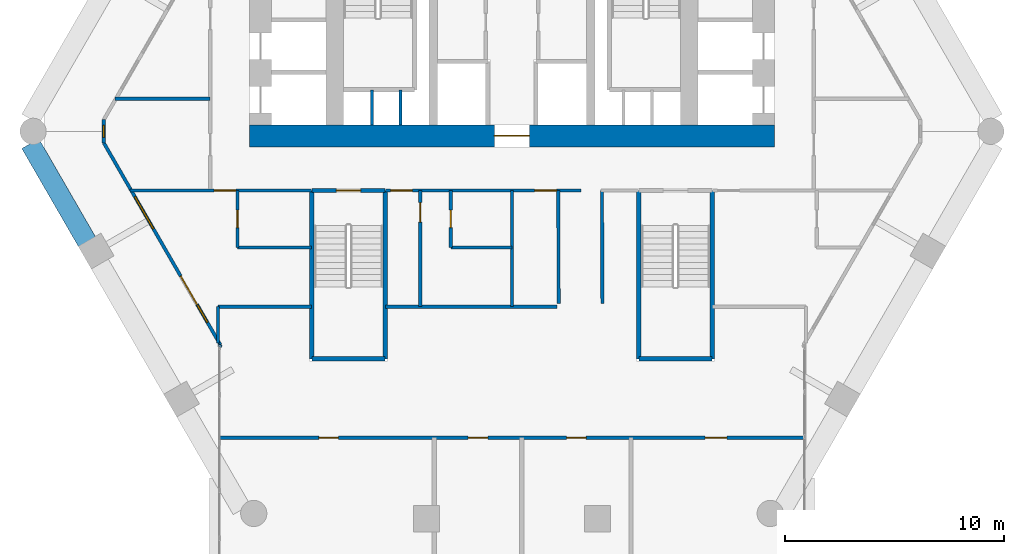
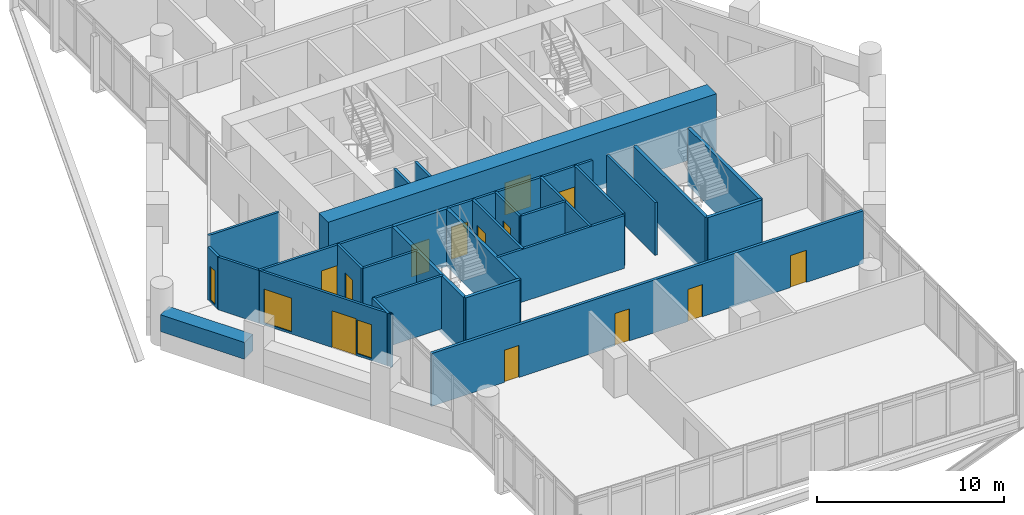
# One storey, part 30 of 37: 29 walls, 13 doors, 3 windows, 16 openings.
"""IFC4 building model written with IfcOpenShell, lengths in metres."""

from ifc_helpers import new_model, si_unit, direction, frame, frame_2d, origin, place, context, subcontext, project, spatial, rectangle, extrude, material, layer, layer_set, type_object, element, fill, save


model = new_model("IFC4")

# Units and contexts
model_context = context("Model", 3, precision=1e-05, world=origin(), true_north=direction((0.0, 1.0)))
body_context = subcontext(model_context, "Body", "Model", "MODEL_VIEW")
ifc_project = project(units=[si_unit("LENGTHUNIT", "METRE"), si_unit("AREAUNIT", "SQUARE_METRE"), si_unit("VOLUMEUNIT", "CUBIC_METRE"), si_unit("PLANEANGLEUNIT", "RADIAN"), si_unit("MASSUNIT", "GRAM", prefix="KILO")], contexts=[model_context])

# Site, building, storey
site_placement = place(None, origin())
site = spatial("IfcSite", under=ifc_project, at=site_placement, CompositionType="ELEMENT")
building_placement = place(site_placement, origin())
building = spatial("IfcBuilding", under=site, at=building_placement, Name="Ostrander Bayou Hotel Tower", CompositionType="ELEMENT")
storey_placement = place(building_placement, frame((0.0, 0.0, 131.0)))
storey = spatial("IfcBuildingStorey", under=building, at=storey_placement, Name="L32", CompositionType="ELEMENT", Elevation=131.0)

# Wall, opening, door
ifc_material_1 = material(Name="Concrete f'c 70 MPa", Category="concrete")
ifc_layer_1 = layer(ifc_material_1, 1.0)
ifc_layer_set_1 = layer_set([ifc_layer_1], Name="CW4 core wall 1000 mm f'c 70 MPa")
wall_type_1 = type_object("IfcWallType", Name="CW4 core wall 1000 mm f'c 70 MPa", PredefinedType="SHEAR", material=ifc_layer_set_1)
wall_1_placement = place(storey_placement, frame((-12.0, -1.199951171875, -0.300048828125), z_axis=(0.0, 0.0, 1.0), x_axis=(1.0, 0.0, 0.0)))
wall_1 = element("IfcWall", 1, at=wall_1_placement, inside=storey, type_object=wall_type_1, Name="CW4 L32 S", PredefinedType="SHEAR", context=body_context, shape_type="SweptSolid", body=[
    extrude(rectangle(XDim=24.0, YDim=1.0, at=frame_2d((12.0, 0.0))), origin(), (0.0, 0.0, 1.0), 3.75),
])
opening_1_placement = place(wall_1_placement, frame((11.199951171875, 0.0, 0.0)))
opening_1 = element("IfcOpeningElement", 2, at=opening_1_placement, cuts=wall_1, Name="Opening T32-001", PredefinedType="OPENING", context=body_context, shape_type="SweptSolid", body=[
    extrude(rectangle(XDim=1.60009765625, YDim=2.10009765625, at=frame_2d((0.800048828125, 1.050048828125))), frame((0.0, 0.5, 0.0), z_axis=(0.0, -1.0, 0.0), x_axis=(1.0, 0.0, 0.0)), (0.0, 0.0, 1.0), 1.0),
])
ifc_material_2 = material(Name="Timber door leaf", Category="wood")
door_type_1 = type_object("IfcDoorType", Name="D13 double door 1600 x 2100 mm, 1 hour", OperationType="SINGLE_SWING_LEFT", PredefinedType="DOOR", material=ifc_material_2)
door_1_placement = place(opening_1_placement, origin())
door_1 = element("IfcDoor", 3, at=door_1_placement, inside=storey, type_object=door_type_1, Name="dr:L32:001", OperationType="DOUBLE_DOOR_SINGLE_SWING", OverallHeight=2.10009765625, OverallWidth=1.60009765625, PredefinedType="DOOR", context=body_context, shape_type="SweptSolid", body=[
    extrude(rectangle(XDim=1.60009765625, YDim=2.10009765625, at=frame_2d((0.800048828125, 1.050048828125))), frame((0.0, 0.02490234375, 0.0), z_axis=(0.0, -1.0, 0.0), x_axis=(1.0, 0.0, 0.0)), (0.0, 0.0, 1.0), 0.050048828125),
])
fill(opening_1, door_1)

# Wall, openings, door, windows
ifc_material_3 = material(Name="Aluminium framed insulated wall", Category="aluminium")
ifc_layer_2 = layer(ifc_material_3, 0.14990234375)
ifc_layer_set_2 = layer_set([ifc_layer_2], Name="GW1 glass-line wall 150 mm")
wall_type_2 = type_object("IfcWallType", Name="GW1 glass-line wall 150 mm", PredefinedType="SOLIDWALL", material=ifc_layer_set_2)
wall_2_placement = place(storey_placement, frame((-18.66259765625, -1.525390625, 0.0), z_axis=(0.0, 0.0, 1.0), x_axis=(0.499997430087, -0.866026887519, 0.0)))
wall_2 = element("IfcWall", 4, at=wall_2_placement, inside=storey, type_object=wall_type_2, Name="GW1 L32 SW 1", PredefinedType="SOLIDWALL", context=body_context, shape_type="SweptSolid", body=[
    extrude(rectangle(XDim=10.6572265625, YDim=0.14990234375, at=frame_2d((5.32861328125, 0.0))), origin(), (0.0, 0.0, 1.0), 3.449951171875),
])
opening_2_placement = place(wall_2_placement, frame((2.835205078125, 0.0, 0.14990234375)))
opening_2 = element("IfcOpeningElement", 5, at=opening_2_placement, cuts=wall_2, Name="Opening W8", PredefinedType="OPENING", context=body_context, shape_type="SweptSolid", body=[
    extrude(rectangle(XDim=1.699951171875, YDim=2.199951171875, at=frame_2d((0.85009765625, 1.10009765625))), frame((0.0, 0.074951171875, 0.0), z_axis=(0.0, -1.0, 0.0), x_axis=(1.0, 0.0, 0.0)), (0.0, 0.0, 1.0), 0.14990234375),
])
opening_3_placement = place(wall_2_placement, frame((8.572998046875, 0.0, 0.14990234375)))
opening_3 = element("IfcOpeningElement", 6, at=opening_3_placement, cuts=wall_2, Name="Opening W16", PredefinedType="OPENING", context=body_context, shape_type="SweptSolid", body=[
    extrude(rectangle(XDim=0.89990234375, YDim=2.199951171875, at=frame_2d((0.449951171875, 1.10009765625))), frame((0.0, 0.074951171875, 0.0), z_axis=(0.0, -1.0, 0.0), x_axis=(1.0, 0.0, 0.0)), (0.0, 0.0, 1.0), 0.14990234375),
])
opening_4_placement = place(wall_2_placement, frame((7.023193359375, 0.0, 0.0)))
opening_4 = element("IfcOpeningElement", 7, at=opening_4_placement, cuts=wall_2, Name="Opening T32-800", PredefinedType="OPENING", context=body_context, shape_type="SweptSolid", body=[
    extrude(rectangle(XDim=1.5, YDim=2.39990234375, at=frame_2d((0.75, 1.199951171875))), frame((0.0, 0.074951171875, 0.0), z_axis=(0.0, -1.0, 0.0), x_axis=(1.0, 0.0, 0.0)), (0.0, 0.0, 1.0), 0.14990234375),
])
ifc_material_4 = material(Name="Aluminium and clear glass", Category="aluminium")
door_type_2 = type_object("IfcDoorType", Name="SD2 sliding glass door 1500 mm, zone 2", OperationType="SLIDING_TO_LEFT", PredefinedType="DOOR", material=ifc_material_4)
door_2_placement = place(opening_4_placement, origin())
door_2 = element("IfcDoor", 8, at=door_2_placement, inside=storey, type_object=door_type_2, Name="SD2 L32 SW 2", OperationType="SLIDING_TO_RIGHT", OverallHeight=2.39990234375, OverallWidth=1.5, PredefinedType="DOOR", context=body_context, shape_type="SweptSolid", body=[
    extrude(rectangle(XDim=1.5, YDim=2.39990234375, at=frame_2d((0.75, 1.199951171875))), frame((0.0, 0.02490234375, 0.0), z_axis=(0.0, -1.0, 0.0), x_axis=(1.0, 0.0, 0.0)), (0.0, 0.0, 1.0), 0.050048828125),
])
fill(opening_4, door_2)
ifc_material_5 = material(Name="Aluminium and clear glass", Category="aluminium")
window_type_1 = type_object("IfcWindowType", Name="W16 window 900 mm, zone 2", PartitioningType="SINGLE_PANEL", PredefinedType="WINDOW", material=ifc_material_5)
window_1_placement = place(opening_3_placement, origin())
window_1 = element("IfcWindow", 9, at=window_1_placement, inside=storey, type_object=window_type_1, Name="W16 L32 SW 2", OverallHeight=2.199951171875, OverallWidth=0.89990234375, PartitioningType="SINGLE_PANEL", PredefinedType="WINDOW", context=body_context, shape_type="SweptSolid", body=[
    extrude(rectangle(XDim=0.89990234375, YDim=2.199951171875, at=frame_2d((0.449951171875, 1.10009765625))), frame((0.0, 0.030029296875, 0.0), z_axis=(0.0, -1.0, 0.0), x_axis=(1.0, 0.0, 0.0)), (0.0, 0.0, 1.0), 0.06005859375),
])
fill(opening_3, window_1)
ifc_material_6 = material(Name="Aluminium and clear glass", Category="aluminium")
window_type_2 = type_object("IfcWindowType", Name="W8 fixed window 1700 mm, bar storeys, zone 2", PartitioningType="SINGLE_PANEL", PredefinedType="WINDOW", material=ifc_material_6)
window_2_placement = place(opening_2_placement, origin())
window_2 = element("IfcWindow", 10, at=window_2_placement, inside=storey, type_object=window_type_2, Name="W8 L32 SW 1", OverallHeight=2.199951171875, OverallWidth=1.699951171875, PartitioningType="SINGLE_PANEL", PredefinedType="WINDOW", context=body_context, shape_type="SweptSolid", body=[
    extrude(rectangle(XDim=1.699951171875, YDim=2.199951171875, at=frame_2d((0.85009765625, 1.10009765625))), frame((0.0, 0.030029296875, 0.0), z_axis=(0.0, -1.0, 0.0), x_axis=(1.0, 0.0, 0.0)), (0.0, 0.0, 1.0), 0.06005859375),
])
fill(opening_2, window_2)

# Wall, opening, window
wall_3_placement = place(storey_placement, frame((-18.66259765625, -0.460205078125, 0.0), z_axis=(0.0, 0.0, 1.0), x_axis=(0.0, -1.0, 0.0)))
wall_3 = element("IfcWall", 11, at=wall_3_placement, inside=storey, type_object=wall_type_2, Name="GW1 L32 corner 2", PredefinedType="SOLIDWALL", context=body_context, shape_type="SweptSolid", body=[
    extrude(rectangle(XDim=1.065185546875, YDim=0.14990234375, at=frame_2d((0.53271484375, 0.0))), origin(), (0.0, 0.0, 1.0), 3.449951171875),
])
opening_5_placement = place(wall_3_placement, frame((0.257568359375, 0.0, 0.14990234375)))
opening_5 = element("IfcOpeningElement", 12, at=opening_5_placement, cuts=wall_3, Name="Opening W19", PredefinedType="OPENING", context=body_context, shape_type="SweptSolid", body=[
    extrude(rectangle(XDim=0.550048828125, YDim=2.199951171875, at=frame_2d((0.27490234375, 1.10009765625))), frame((0.0, 0.074951171875, 0.0), z_axis=(0.0, -1.0, 0.0), x_axis=(1.0, 0.0, 0.0)), (0.0, 0.0, 1.0), 0.14990234375),
])
ifc_material_7 = material(Name="Aluminium and clear glass", Category="aluminium")
window_type_3 = type_object("IfcWindowType", Name="W19 corner window 550 mm", PartitioningType="SINGLE_PANEL", PredefinedType="WINDOW", material=ifc_material_7)
window_3_placement = place(opening_5_placement, origin())
window_3 = element("IfcWindow", 13, at=window_3_placement, inside=storey, type_object=window_type_3, Name="W19 L32 corner 2", OverallHeight=2.199951171875, OverallWidth=0.550048828125, PartitioningType="SINGLE_PANEL", PredefinedType="WINDOW", context=body_context, shape_type="SweptSolid", body=[
    extrude(rectangle(XDim=0.550048828125, YDim=2.199951171875, at=frame_2d((0.27490234375, 1.10009765625))), frame((0.0, 0.030029296875, 0.0), z_axis=(0.0, -1.0, 0.0), x_axis=(1.0, 0.0, 0.0)), (0.0, 0.0, 1.0), 0.06005859375),
])
fill(opening_5, window_3)

# Walls
wall_4_placement = place(storey_placement, frame((-13.333984375, -10.7548828125, 0.0), z_axis=(0.0, 0.0, 1.0), x_axis=(-0.337751931921, -0.941235163221, 0.0)))
element("IfcWall", 14, at=wall_4_placement, inside=storey, type_object=wall_type_2, Name="GW1 L32 bar joint 2", PredefinedType="SOLIDWALL", context=body_context, shape_type="SweptSolid", body=[
    extrude(rectangle(XDim=0.098388671875, YDim=0.14990234375, at=frame_2d((0.04931640625, 0.0))), origin(), (0.0, 0.0, 1.0), 3.449951171875),
])
ifc_material_8 = material(Name="Limestone masonry", Category="masonry")
ifc_layer_3 = layer(ifc_material_8, 0.89990234375)
ifc_layer_set_3 = layer_set([ifc_layer_3], Name="PA2 limestone parapet 900 mm")
wall_type_3 = type_object("IfcWallType", Name="PA2 limestone parapet 900 mm", PredefinedType="PARAPET", material=ifc_layer_set_3)
wall_5_placement = place(storey_placement, frame((-22.022216796875, -1.556396484375, 0.0), z_axis=(0.0, 0.0, 1.0), x_axis=(0.499996813733, -0.866027243369, 0.0)))
element("IfcWall", 15, at=wall_5_placement, inside=storey, type_object=wall_type_3, Name="PA2 L32 SW-1", PredefinedType="PARAPET", context=body_context, shape_type="SweptSolid", body=[
    extrude(rectangle(XDim=5.1865234375, YDim=0.89990234375, at=frame_2d((2.59326171875, 0.0))), origin(), (0.0, 0.0, 1.0), 1.10009765625),
])

# Wall, openings, doors
ifc_material_9 = material(Name="Gypsum board partition", Category="finish")
ifc_layer_4 = layer(ifc_material_9, 0.175048828125)
ifc_layer_set_4 = layer_set([ifc_layer_4], Name="PT4 corridor wall 175 mm, 1 hour")
wall_type_4 = type_object("IfcWallType", Name="PT4 corridor wall 175 mm, 1 hour", PredefinedType="PARTITIONING", material=ifc_layer_set_4)
wall_6_placement = place(storey_placement, frame((-13.34814453125, -15.0, 0.0), z_axis=(0.0, 0.0, 1.0), x_axis=(1.0, 0.0, 0.0)))
wall_6 = element("IfcWall", 16, at=wall_6_placement, inside=storey, type_object=wall_type_4, Name="sw:L32:500", PredefinedType="PARTITIONING", context=body_context, shape_type="SweptSolid", body=[
    extrude(rectangle(XDim=26.6962890625, YDim=0.175048828125, at=frame_2d((13.34814453125, 0.0))), origin(), (0.0, 0.0, 1.0), 3.449951171875),
])
opening_6_placement = place(wall_6_placement, frame((11.34033203125, 0.0, 0.0)))
opening_6 = element("IfcOpeningElement", 17, at=opening_6_placement, cuts=wall_6, Name="Opening T32-1200", PredefinedType="OPENING", context=body_context, shape_type="SweptSolid", body=[
    extrude(rectangle(XDim=0.89990234375, YDim=2.10009765625, at=frame_2d((0.449951171875, 1.050048828125))), frame((0.0, 0.08740234375, 0.0), z_axis=(0.0, -1.0, 0.0), x_axis=(1.0, 0.0, 0.0)), (0.0, 0.0, 1.0), 0.175048828125),
])
opening_7_placement = place(wall_6_placement, frame((15.84033203125, 0.0, 0.0)))
opening_7 = element("IfcOpeningElement", 18, at=opening_7_placement, cuts=wall_6, Name="Opening T32-1201", PredefinedType="OPENING", context=body_context, shape_type="SweptSolid", body=[
    extrude(rectangle(XDim=0.89990234375, YDim=2.10009765625, at=frame_2d((0.449951171875, 1.050048828125))), frame((0.0, 0.08740234375, 0.0), z_axis=(0.0, -1.0, 0.0), x_axis=(1.0, 0.0, 0.0)), (0.0, 0.0, 1.0), 0.175048828125),
])
opening_8_placement = place(wall_6_placement, frame((22.17529296875, 0.0, 0.0)))
opening_8 = element("IfcOpeningElement", 19, at=opening_8_placement, cuts=wall_6, Name="Opening T32-1202", PredefinedType="OPENING", context=body_context, shape_type="SweptSolid", body=[
    extrude(rectangle(XDim=1.0, YDim=2.10009765625, at=frame_2d((0.5, 1.050048828125))), frame((0.0, 0.08740234375, 0.0), z_axis=(0.0, -1.0, 0.0), x_axis=(1.0, 0.0, 0.0)), (0.0, 0.0, 1.0), 0.175048828125),
])
opening_9_placement = place(wall_6_placement, frame((4.51318359375, 0.0, 0.0)))
opening_9 = element("IfcOpeningElement", 20, at=opening_9_placement, cuts=wall_6, Name="Opening T32-1203", PredefinedType="OPENING", context=body_context, shape_type="SweptSolid", body=[
    extrude(rectangle(XDim=0.89990234375, YDim=2.10009765625, at=frame_2d((0.449951171875, 1.050048828125))), frame((0.0, 0.08740234375, 0.0), z_axis=(0.0, -1.0, 0.0), x_axis=(1.0, 0.0, 0.0)), (0.0, 0.0, 1.0), 0.175048828125),
])
ifc_material_10 = material(Name="Timber door leaf", Category="wood")
door_type_3 = type_object("IfcDoorType", Name="D8 room door 900 x 2100 mm", OperationType="SINGLE_SWING_LEFT", PredefinedType="DOOR", material=ifc_material_10)
door_3_placement = place(opening_6_placement, origin())
door_3 = element("IfcDoor", 21, at=door_3_placement, inside=storey, type_object=door_type_3, Name="dr:L32:1200", OperationType="SINGLE_SWING_RIGHT", OverallHeight=2.10009765625, OverallWidth=0.89990234375, PredefinedType="DOOR", context=body_context, shape_type="SweptSolid", body=[
    extrude(rectangle(XDim=0.89990234375, YDim=2.10009765625, at=frame_2d((0.449951171875, 1.050048828125))), frame((0.0, 0.02490234375, 0.0), z_axis=(0.0, -1.0, 0.0), x_axis=(1.0, 0.0, 0.0)), (0.0, 0.0, 1.0), 0.050048828125),
])
fill(opening_6, door_3)
door_4_placement = place(opening_7_placement, origin())
door_4 = element("IfcDoor", 22, at=door_4_placement, inside=storey, type_object=door_type_3, Name="dr:L32:1201", OperationType="SINGLE_SWING_LEFT", OverallHeight=2.10009765625, OverallWidth=0.89990234375, PredefinedType="DOOR", context=body_context, shape_type="SweptSolid", body=[
    extrude(rectangle(XDim=0.89990234375, YDim=2.10009765625, at=frame_2d((0.449951171875, 1.050048828125))), frame((0.0, 0.02490234375, 0.0), z_axis=(0.0, -1.0, 0.0), x_axis=(1.0, 0.0, 0.0)), (0.0, 0.0, 1.0), 0.050048828125),
])
fill(opening_7, door_4)
door_5_placement = place(opening_9_placement, origin())
door_5 = element("IfcDoor", 23, at=door_5_placement, inside=storey, type_object=door_type_3, Name="dr:L32:1203", OperationType="SINGLE_SWING_LEFT", OverallHeight=2.10009765625, OverallWidth=0.89990234375, PredefinedType="DOOR", context=body_context, shape_type="SweptSolid", body=[
    extrude(rectangle(XDim=0.89990234375, YDim=2.10009765625, at=frame_2d((0.449951171875, 1.050048828125))), frame((0.0, 0.02490234375, 0.0), z_axis=(0.0, -1.0, 0.0), x_axis=(1.0, 0.0, 0.0)), (0.0, 0.0, 1.0), 0.050048828125),
])
fill(opening_9, door_5)
ifc_material_11 = material(Name="Timber door leaf", Category="wood")
door_type_4 = type_object("IfcDoorType", Name="D9 service door 1000 x 2100 mm, 30 minute", OperationType="SINGLE_SWING_LEFT", PredefinedType="DOOR", material=ifc_material_11)
door_6_placement = place(opening_8_placement, origin())
door_6 = element("IfcDoor", 24, at=door_6_placement, inside=storey, type_object=door_type_4, Name="dr:L32:1202", OperationType="SINGLE_SWING_RIGHT", OverallHeight=2.10009765625, OverallWidth=1.0, PredefinedType="DOOR", context=body_context, shape_type="SweptSolid", body=[
    extrude(rectangle(XDim=1.0, YDim=2.10009765625, at=frame_2d((0.5, 1.050048828125))), frame((0.0, 0.02490234375, 0.0), z_axis=(0.0, -1.0, 0.0), x_axis=(1.0, 0.0, 0.0)), (0.0, 0.0, 1.0), 0.050048828125),
])
fill(opening_8, door_6)

# Walls
ifc_material_12 = material(Name="Gypsum board partition", Category="finish")
ifc_layer_5 = layer(ifc_material_12, 0.14990234375)
ifc_layer_set_5 = layer_set([ifc_layer_5], Name="PT7 riser wall 150 mm, 2 hour")
wall_type_5 = type_object("IfcWallType", Name="PT7 riser wall 150 mm, 2 hour", PredefinedType="PARTITIONING", material=ifc_layer_set_5)
for number, where, z_axis, x_axis, name in (
    (25, (-6.39990234375, -0.699951171875, 0.0), (0.0, 0.0, 1.0), (0.0, 1.0, 0.0), "cs:L32:011"),
    (26, (-5.10009765625, -0.699951171875, 0.0), (0.0, 0.0, 1.0), (0.0, 1.0, 0.0), "cs:L32:012"),
):
    element("IfcWall", number, at=place(storey_placement, frame(where, z_axis=z_axis, x_axis=x_axis)), inside=storey, type_object=wall_type_5, Name=name, PredefinedType="PARTITIONING", context=body_context, shape_type="SweptSolid", body=[
        extrude(rectangle(XDim=1.599853515625, YDim=0.14990234375, at=frame_2d((0.7998046875, 0.0))), origin(), (0.0, 0.0, 1.0), 3.449951171875),
    ])
ifc_material_13 = material(Name="Gypsum board partition", Category="finish")
ifc_layer_6 = layer(ifc_material_13, 0.14990234375)
ifc_layer_set_6 = layer_set([ifc_layer_6], Name="PT8 service band wall 150 mm, 1 hour")
wall_type_6 = type_object("IfcWallType", Name="PT8 service band wall 150 mm, 1 hour", PredefinedType="PARTITIONING", material=ifc_layer_set_6)
wall_7_placement = place(storey_placement, frame((-13.43994140625, -9.010009765625, 0.0), z_axis=(0.0, 0.0, 1.0), x_axis=(1.0, 0.0, 0.0)))
element("IfcWall", 27, at=wall_7_placement, inside=storey, type_object=wall_type_6, Name="gw:L32:001", PredefinedType="PARTITIONING", context=body_context, shape_type="SweptSolid", body=[
    extrude(rectangle(XDim=4.280029296875, YDim=0.14990234375, at=frame_2d((2.14013671875, 0.0))), origin(), (0.0, 0.0, 1.0), 3.449951171875),
])
wall_8_placement = place(storey_placement, frame((-5.7900390625, -9.010009765625, 0.0), z_axis=(0.0, 0.0, 1.0), x_axis=(1.0, 0.0, 0.0)))
element("IfcWall", 28, at=wall_8_placement, inside=storey, type_object=wall_type_6, Name="gw:L32:002", PredefinedType="PARTITIONING", context=body_context, shape_type="SweptSolid", body=[
    extrude(rectangle(XDim=7.844970703125, YDim=0.14990234375, at=frame_2d((3.92236328125, 0.0))), origin(), (0.0, 0.0, 1.0), 3.449951171875),
])
wall_9_placement = place(storey_placement, frame((-12.550048828125, -6.300048828125, 0.0), z_axis=(0.0, 0.0, 1.0), x_axis=(1.0, 0.0, 0.0)))
element("IfcWall", 29, at=wall_9_placement, inside=storey, type_object=wall_type_6, Name="gw:L32:004", PredefinedType="PARTITIONING", context=body_context, shape_type="SweptSolid", body=[
    extrude(rectangle(XDim=3.39013671875, YDim=0.14990234375, at=frame_2d((1.695068359375, 0.0))), origin(), (0.0, 0.0, 1.0), 3.449951171875),
])
wall_10_placement = place(storey_placement, frame((-2.800048828125, -6.300048828125, 0.0), z_axis=(0.0, 0.0, 1.0), x_axis=(1.0, 0.0, 0.0)))
element("IfcWall", 30, at=wall_10_placement, inside=storey, type_object=wall_type_6, Name="gw:L32:005", PredefinedType="PARTITIONING", context=body_context, shape_type="SweptSolid", body=[
    extrude(rectangle(XDim=2.800048828125, YDim=0.14990234375, at=frame_2d((1.39990234375, 0.0))), origin(), (0.0, 0.0, 1.0), 3.449951171875),
])

# Wall, opening, door
wall_11_placement = place(storey_placement, frame((-17.458984375, -3.699951171875, 0.0), z_axis=(0.0, 0.0, 1.0), x_axis=(1.0, 0.0, 0.0)))
wall_11 = element("IfcWall", 31, at=wall_11_placement, inside=storey, type_object=wall_type_6, Name="gw:L32:007", PredefinedType="PARTITIONING", context=body_context, shape_type="SweptSolid", body=[
    extrude(rectangle(XDim=8.299072265625, YDim=0.14990234375, at=frame_2d((4.1494140625, 0.0))), origin(), (0.0, 0.0, 1.0), 3.449951171875),
])
opening_10_placement = place(wall_11_placement, frame((3.833984375, 0.0, 0.0)))
opening_10 = element("IfcOpeningElement", 32, at=opening_10_placement, cuts=wall_11, Name="Opening T32-403", PredefinedType="OPENING", context=body_context, shape_type="SweptSolid", body=[
    extrude(rectangle(XDim=1.0, YDim=2.10009765625, at=frame_2d((0.5, 1.050048828125))), frame((0.0, 0.074951171875, 0.0), z_axis=(0.0, -1.0, 0.0), x_axis=(1.0, 0.0, 0.0)), (0.0, 0.0, 1.0), 0.14990234375),
])
ifc_material_14 = material(Name="Timber door leaf", Category="wood")
door_type_5 = type_object("IfcDoorType", Name="D1 guest room door 1000 x 2100 mm, 30 minute", OperationType="SINGLE_SWING_LEFT", PredefinedType="DOOR", material=ifc_material_14)
door_7_placement = place(opening_10_placement, origin())
door_7 = element("IfcDoor", 33, at=door_7_placement, inside=storey, type_object=door_type_5, Name="dr:L32:403", OperationType="SINGLE_SWING_LEFT", OverallHeight=2.10009765625, OverallWidth=1.0, PredefinedType="DOOR", context=body_context, shape_type="SweptSolid", body=[
    extrude(rectangle(XDim=1.0, YDim=2.10009765625, at=frame_2d((0.5, 1.050048828125))), frame((0.0, 0.02490234375, 0.0), z_axis=(0.0, -1.0, 0.0), x_axis=(1.0, 0.0, 0.0)), (0.0, 0.0, 1.0), 0.050048828125),
])
fill(opening_10, door_7)

# Wall, openings, doors
wall_12_placement = place(storey_placement, frame((-5.7900390625, -3.699951171875, 0.0), z_axis=(0.0, 0.0, 1.0), x_axis=(1.0, 0.0, 0.0)))
wall_12 = element("IfcWall", 34, at=wall_12_placement, inside=storey, type_object=wall_type_6, Name="gw:L32:008", PredefinedType="PARTITIONING", context=body_context, shape_type="SweptSolid", body=[
    extrude(rectangle(XDim=8.945068359375, YDim=0.14990234375, at=frame_2d((4.47265625, 0.0))), origin(), (0.0, 0.0, 1.0), 3.449951171875),
])
opening_11_placement = place(wall_12_placement, frame((0.239990234375, 0.0, 0.0)))
opening_11 = element("IfcOpeningElement", 35, at=opening_11_placement, cuts=wall_12, Name="Opening T32-400", PredefinedType="OPENING", context=body_context, shape_type="SweptSolid", body=[
    extrude(rectangle(XDim=1.0, YDim=2.10009765625, at=frame_2d((0.5, 1.050048828125))), frame((0.0, 0.074951171875, 0.0), z_axis=(0.0, -1.0, 0.0), x_axis=(1.0, 0.0, 0.0)), (0.0, 0.0, 1.0), 0.14990234375),
])
opening_12_placement = place(wall_12_placement, frame((6.826904296875, 0.0, 0.0)))
opening_12 = element("IfcOpeningElement", 36, at=opening_12_placement, cuts=wall_12, Name="Opening T32-405", PredefinedType="OPENING", context=body_context, shape_type="SweptSolid", body=[
    extrude(rectangle(XDim=1.0, YDim=2.10009765625, at=frame_2d((0.5, 1.050048828125))), frame((0.0, 0.074951171875, 0.0), z_axis=(0.0, -1.0, 0.0), x_axis=(1.0, 0.0, 0.0)), (0.0, 0.0, 1.0), 0.14990234375),
])
door_8_placement = place(opening_11_placement, origin())
door_8 = element("IfcDoor", 37, at=door_8_placement, inside=storey, type_object=door_type_5, Name="dr:L32:400", OperationType="SINGLE_SWING_LEFT", OverallHeight=2.10009765625, OverallWidth=1.0, PredefinedType="DOOR", context=body_context, shape_type="SweptSolid", body=[
    extrude(rectangle(XDim=1.0, YDim=2.10009765625, at=frame_2d((0.5, 1.050048828125))), frame((0.0, 0.02490234375, 0.0), z_axis=(0.0, -1.0, 0.0), x_axis=(1.0, 0.0, 0.0)), (0.0, 0.0, 1.0), 0.050048828125),
])
fill(opening_11, door_8)
door_9_placement = place(opening_12_placement, origin())
door_9 = element("IfcDoor", 38, at=door_9_placement, inside=storey, type_object=door_type_4, Name="dr:L32:405", OperationType="SINGLE_SWING_LEFT", OverallHeight=2.10009765625, OverallWidth=1.0, PredefinedType="DOOR", context=body_context, shape_type="SweptSolid", body=[
    extrude(rectangle(XDim=1.0, YDim=2.10009765625, at=frame_2d((0.5, 1.050048828125))), frame((0.0, 0.02490234375, 0.0), z_axis=(0.0, -1.0, 0.0), x_axis=(1.0, 0.0, 0.0)), (0.0, 0.0, 1.0), 0.050048828125),
])
fill(opening_12, door_9)

# Walls
wall_13_placement = place(storey_placement, frame((-18.159912109375, 0.5, 0.0), z_axis=(0.0, 0.0, 1.0), x_axis=(1.0, 0.0, 0.0)))
element("IfcWall", 39, at=wall_13_placement, inside=storey, type_object=wall_type_6, Name="gw:L32:011", PredefinedType="PARTITIONING", context=body_context, shape_type="SweptSolid", body=[
    extrude(rectangle(XDim=4.35986328125, YDim=0.14990234375, at=frame_2d((2.179931640625, 0.0))), origin(), (0.0, 0.0, 1.0), 3.449951171875),
])
wall_14_placement = place(storey_placement, frame((0.0, -9.010009765625, 0.0), z_axis=(0.0, 0.0, 1.0), x_axis=(0.0, 1.0, 0.0)))
element("IfcWall", 40, at=wall_14_placement, inside=storey, type_object=wall_type_6, Name="gw:L32:019", PredefinedType="PARTITIONING", context=body_context, shape_type="SweptSolid", body=[
    extrude(rectangle(XDim=5.31005859375, YDim=0.14990234375, at=frame_2d((2.655029296875, 0.0))), origin(), (0.0, 0.0, 1.0), 3.449951171875),
])

# Wall, opening, door
wall_15_placement = place(storey_placement, frame((-2.800048828125, -6.300048828125, 0.0), z_axis=(0.0, 0.0, 1.0), x_axis=(0.0, 1.0, 0.0)))
wall_15 = element("IfcWall", 41, at=wall_15_placement, inside=storey, type_object=wall_type_6, Name="gw:L32:020", PredefinedType="PARTITIONING", context=body_context, shape_type="SweptSolid", body=[
    extrude(rectangle(XDim=2.60009765625, YDim=0.14990234375, at=frame_2d((1.300048828125, 0.0))), origin(), (0.0, 0.0, 1.0), 3.449951171875),
])
opening_13_placement = place(wall_15_placement, frame((0.89990234375, 0.0, 0.0)))
opening_13 = element("IfcOpeningElement", 42, at=opening_13_placement, cuts=wall_15, Name="Opening T32-402", PredefinedType="OPENING", context=body_context, shape_type="SweptSolid", body=[
    extrude(rectangle(XDim=0.800048828125, YDim=2.10009765625, at=frame_2d((0.39990234375, 1.050048828125))), frame((0.0, 0.074951171875, 0.0), z_axis=(0.0, -1.0, 0.0), x_axis=(1.0, 0.0, 0.0)), (0.0, 0.0, 1.0), 0.14990234375),
])
ifc_material_15 = material(Name="Timber door leaf", Category="wood")
door_type_6 = type_object("IfcDoorType", Name="D2 bathroom door 800 x 2100 mm", OperationType="SINGLE_SWING_LEFT", PredefinedType="DOOR", material=ifc_material_15)
door_10_placement = place(opening_13_placement, origin())
door_10 = element("IfcDoor", 43, at=door_10_placement, inside=storey, type_object=door_type_6, Name="dr:L32:402", OperationType="SINGLE_SWING_RIGHT", OverallHeight=2.10009765625, OverallWidth=0.800048828125, PredefinedType="DOOR", context=body_context, shape_type="SweptSolid", body=[
    extrude(rectangle(XDim=0.800048828125, YDim=2.10009765625, at=frame_2d((0.39990234375, 1.050048828125))), frame((0.0, 0.02490234375, 0.0), z_axis=(0.0, -1.0, 0.0), x_axis=(1.0, 0.0, 0.0)), (0.0, 0.0, 1.0), 0.050048828125),
])
fill(opening_13, door_10)

wall_16_placement = place(storey_placement, frame((-4.199951171875, -9.010009765625, 0.0), z_axis=(0.0, 0.0, 1.0), x_axis=(0.0, 1.0, 0.0)))
wall_16 = element("IfcWall", 44, at=wall_16_placement, inside=storey, type_object=wall_type_6, Name="gw:L32:021", PredefinedType="PARTITIONING", context=body_context, shape_type="SweptSolid", body=[
    extrude(rectangle(XDim=5.31005859375, YDim=0.14990234375, at=frame_2d((2.655029296875, 0.0))), origin(), (0.0, 0.0, 1.0), 3.449951171875),
])
opening_14_placement = place(wall_16_placement, frame((3.860107421875, 0.0, 0.0)))
opening_14 = element("IfcOpeningElement", 45, at=opening_14_placement, cuts=wall_16, Name="Opening T32-401", PredefinedType="OPENING", context=body_context, shape_type="SweptSolid", body=[
    extrude(rectangle(XDim=0.89990234375, YDim=2.10009765625, at=frame_2d((0.449951171875, 1.050048828125))), frame((0.0, 0.074951171875, 0.0), z_axis=(0.0, -1.0, 0.0), x_axis=(1.0, 0.0, 0.0)), (0.0, 0.0, 1.0), 0.14990234375),
])
door_11_placement = place(opening_14_placement, origin())
door_11 = element("IfcDoor", 46, at=door_11_placement, inside=storey, type_object=door_type_3, Name="dr:L32:401", OperationType="SINGLE_SWING_RIGHT", OverallHeight=2.10009765625, OverallWidth=0.89990234375, PredefinedType="DOOR", context=body_context, shape_type="SweptSolid", body=[
    extrude(rectangle(XDim=0.89990234375, YDim=2.10009765625, at=frame_2d((0.449951171875, 1.050048828125))), frame((0.0, 0.02490234375, 0.0), z_axis=(0.0, -1.0, 0.0), x_axis=(1.0, 0.0, 0.0)), (0.0, 0.0, 1.0), 0.050048828125),
])
fill(opening_14, door_11)

wall_17_placement = place(storey_placement, frame((-12.550048828125, -6.300048828125, 0.0), z_axis=(0.0, 0.0, 1.0), x_axis=(0.0, 1.0, 0.0)))
wall_17 = element("IfcWall", 47, at=wall_17_placement, inside=storey, type_object=wall_type_6, Name="gw:L32:022", PredefinedType="PARTITIONING", context=body_context, shape_type="SweptSolid", body=[
    extrude(rectangle(XDim=2.60009765625, YDim=0.14990234375, at=frame_2d((1.300048828125, 0.0))), origin(), (0.0, 0.0, 1.0), 3.449951171875),
])
opening_15_placement = place(wall_17_placement, frame((0.89990234375, 0.0, 0.0)))
opening_15 = element("IfcOpeningElement", 48, at=opening_15_placement, cuts=wall_17, Name="Opening T32-404", PredefinedType="OPENING", context=body_context, shape_type="SweptSolid", body=[
    extrude(rectangle(XDim=0.800048828125, YDim=2.10009765625, at=frame_2d((0.39990234375, 1.050048828125))), frame((0.0, 0.074951171875, 0.0), z_axis=(0.0, -1.0, 0.0), x_axis=(1.0, 0.0, 0.0)), (0.0, 0.0, 1.0), 0.14990234375),
])
door_12_placement = place(opening_15_placement, origin())
door_12 = element("IfcDoor", 49, at=door_12_placement, inside=storey, type_object=door_type_6, Name="dr:L32:404", OperationType="SINGLE_SWING_RIGHT", OverallHeight=2.10009765625, OverallWidth=0.800048828125, PredefinedType="DOOR", context=body_context, shape_type="SweptSolid", body=[
    extrude(rectangle(XDim=0.800048828125, YDim=2.10009765625, at=frame_2d((0.39990234375, 1.050048828125))), frame((0.0, 0.02490234375, 0.0), z_axis=(0.0, -1.0, 0.0), x_axis=(1.0, 0.0, 0.0)), (0.0, 0.0, 1.0), 0.050048828125),
])
fill(opening_15, door_12)

# Walls
wall_18_placement = place(storey_placement, frame((-13.43994140625, -10.660888671875, 0.0), z_axis=(0.0, 0.0, 1.0), x_axis=(0.0, 1.0, 0.0)))
element("IfcWall", 50, at=wall_18_placement, inside=storey, type_object=wall_type_6, Name="gw:L32:023", PredefinedType="PARTITIONING", context=body_context, shape_type="SweptSolid", body=[
    extrude(rectangle(XDim=1.65087890625, YDim=0.14990234375, at=frame_2d((0.825439453125, 0.0))), origin(), (0.0, 0.0, 1.0), 3.449951171875),
])
wall_19_placement = place(storey_placement, frame((4.134033203125, -8.8701171875, 0.0), z_axis=(0.0, 0.0, 1.0), x_axis=(-0.003683216269, 0.999993216936, 0.0)))
element("IfcWall", 51, at=wall_19_placement, inside=storey, type_object=wall_type_6, Name="gw:L32:026", PredefinedType="PARTITIONING", context=body_context, shape_type="SweptSolid", body=[
    extrude(rectangle(XDim=5.170166015625, YDim=0.14990234375, at=frame_2d((2.5849609375, 0.0))), origin(), (0.0, 0.0, 1.0), 3.449951171875),
])
wall_20_placement = place(storey_placement, frame((2.134033203125, -8.8701171875, 0.0), z_axis=(0.0, 0.0, 1.0), x_axis=(-0.003686872276, 0.999993203463, 0.0)))
element("IfcWall", 52, at=wall_20_placement, inside=storey, type_object=wall_type_6, Name="gw:L32:027", PredefinedType="PARTITIONING", context=body_context, shape_type="SweptSolid", body=[
    extrude(rectangle(XDim=5.1650390625, YDim=0.14990234375, at=frame_2d((2.58251953125, 0.0))), origin(), (0.0, 0.0, 1.0), 3.449951171875),
])
ifc_material_16 = material(Name="Concrete f'c 45 MPa", Category="concrete")
ifc_layer_7 = layer(ifc_material_16, 0.199951171875)
ifc_layer_set_7 = layer_set([ifc_layer_7], Name="SW5 stair enclosure wall 200 mm f'c 45 MPa")
wall_type_7 = type_object("IfcWallType", Name="SW5 stair enclosure wall 200 mm f'c 45 MPa", PredefinedType="SOLIDWALL", material=ifc_layer_set_7)
for number, where, z_axis, x_axis, name in (
    (53, (5.800048828125, -3.699951171875, -0.300048828125), (0.0, 0.0, 1.0), (0.0, -1.0, 0.0), "cs:L32:018"),
    (54, (9.14990234375, -3.699951171875, -0.300048828125), (0.0, 0.0, 1.0), (0.0, -1.0, 0.0), "cs:L32:019"),
):
    element("IfcWall", number, at=place(storey_placement, frame(where, z_axis=z_axis, x_axis=x_axis)), inside=storey, type_object=wall_type_7, Name=name, PredefinedType="SOLIDWALL", context=body_context, shape_type="SweptSolid", body=[
        extrude(rectangle(XDim=7.699951171875, YDim=0.199951171875, at=frame_2d((3.85009765625, 0.0))), origin(), (0.0, 0.0, 1.0), 3.75),
    ])
wall_21_placement = place(storey_placement, frame((5.800048828125, -11.39990234375, -0.300048828125), z_axis=(0.0, 0.0, 1.0), x_axis=(1.0, 0.0, 0.0)))
element("IfcWall", 55, at=wall_21_placement, inside=storey, type_object=wall_type_7, Name="cs:L32:020", PredefinedType="SOLIDWALL", context=body_context, shape_type="SweptSolid", body=[
    extrude(rectangle(XDim=3.349853515625, YDim=0.199951171875, at=frame_2d((1.6748046875, 0.0))), origin(), (0.0, 0.0, 1.0), 3.75),
])

# Wall, opening, door
wall_22_placement = place(storey_placement, frame((-9.14990234375, -3.699951171875, -0.300048828125), z_axis=(0.0, 0.0, 1.0), x_axis=(1.0, 0.0, 0.0)))
wall_22 = element("IfcWall", 56, at=wall_22_placement, inside=storey, type_object=wall_type_7, Name="cs:L32:021", PredefinedType="SOLIDWALL", context=body_context, shape_type="SweptSolid", body=[
    extrude(rectangle(XDim=3.349853515625, YDim=0.199951171875, at=frame_2d((1.6748046875, 0.0))), origin(), (0.0, 0.0, 1.0), 3.75),
])
opening_16_placement = place(wall_22_placement, frame((1.125, 0.0, 0.0)))
opening_16 = element("IfcOpeningElement", 57, at=opening_16_placement, cuts=wall_22, Name="Opening T32-008", PredefinedType="OPENING", context=body_context, shape_type="SweptSolid", body=[
    extrude(rectangle(XDim=1.10009765625, YDim=2.10009765625, at=frame_2d((0.550048828125, 1.050048828125))), frame((0.0, 0.10009765625, 0.0), z_axis=(0.0, -1.0, 0.0), x_axis=(1.0, 0.0, 0.0)), (0.0, 0.0, 1.0), 0.199951171875),
])
ifc_material_17 = material(Name="Timber door leaf", Category="wood")
door_type_7 = type_object("IfcDoorType", Name="D5 stair door 1100 x 2100 mm, 90 minute", OperationType="SINGLE_SWING_LEFT", PredefinedType="DOOR", material=ifc_material_17)
door_13_placement = place(opening_16_placement, origin())
door_13 = element("IfcDoor", 58, at=door_13_placement, inside=storey, type_object=door_type_7, Name="dr:L32:008", OperationType="SINGLE_SWING_LEFT", OverallHeight=2.10009765625, OverallWidth=1.10009765625, PredefinedType="DOOR", context=body_context, shape_type="SweptSolid", body=[
    extrude(rectangle(XDim=1.10009765625, YDim=2.10009765625, at=frame_2d((0.550048828125, 1.050048828125))), frame((0.0, 0.02490234375, 0.0), z_axis=(0.0, -1.0, 0.0), x_axis=(1.0, 0.0, 0.0)), (0.0, 0.0, 1.0), 0.050048828125),
])
fill(opening_16, door_13)

# Walls
for number, where, z_axis, x_axis, name in (
    (59, (-9.14990234375, -3.699951171875, -0.300048828125), (0.0, 0.0, 1.0), (0.0, -1.0, 0.0), "cs:L32:022"),
    (60, (-5.800048828125, -3.699951171875, -0.300048828125), (0.0, 0.0, 1.0), (0.0, -1.0, 0.0), "cs:L32:023"),
):
    element("IfcWall", number, at=place(storey_placement, frame(where, z_axis=z_axis, x_axis=x_axis)), inside=storey, type_object=wall_type_7, Name=name, PredefinedType="SOLIDWALL", context=body_context, shape_type="SweptSolid", body=[
        extrude(rectangle(XDim=7.699951171875, YDim=0.199951171875, at=frame_2d((3.85009765625, 0.0))), origin(), (0.0, 0.0, 1.0), 3.75),
    ])
wall_23_placement = place(storey_placement, frame((-9.14990234375, -11.39990234375, -0.300048828125), z_axis=(0.0, 0.0, 1.0), x_axis=(1.0, 0.0, 0.0)))
element("IfcWall", 61, at=wall_23_placement, inside=storey, type_object=wall_type_7, Name="cs:L32:024", PredefinedType="SOLIDWALL", context=body_context, shape_type="SweptSolid", body=[
    extrude(rectangle(XDim=3.349853515625, YDim=0.199951171875, at=frame_2d((1.6748046875, 0.0))), origin(), (0.0, 0.0, 1.0), 3.75),
])

save(model, "model.ifc")
